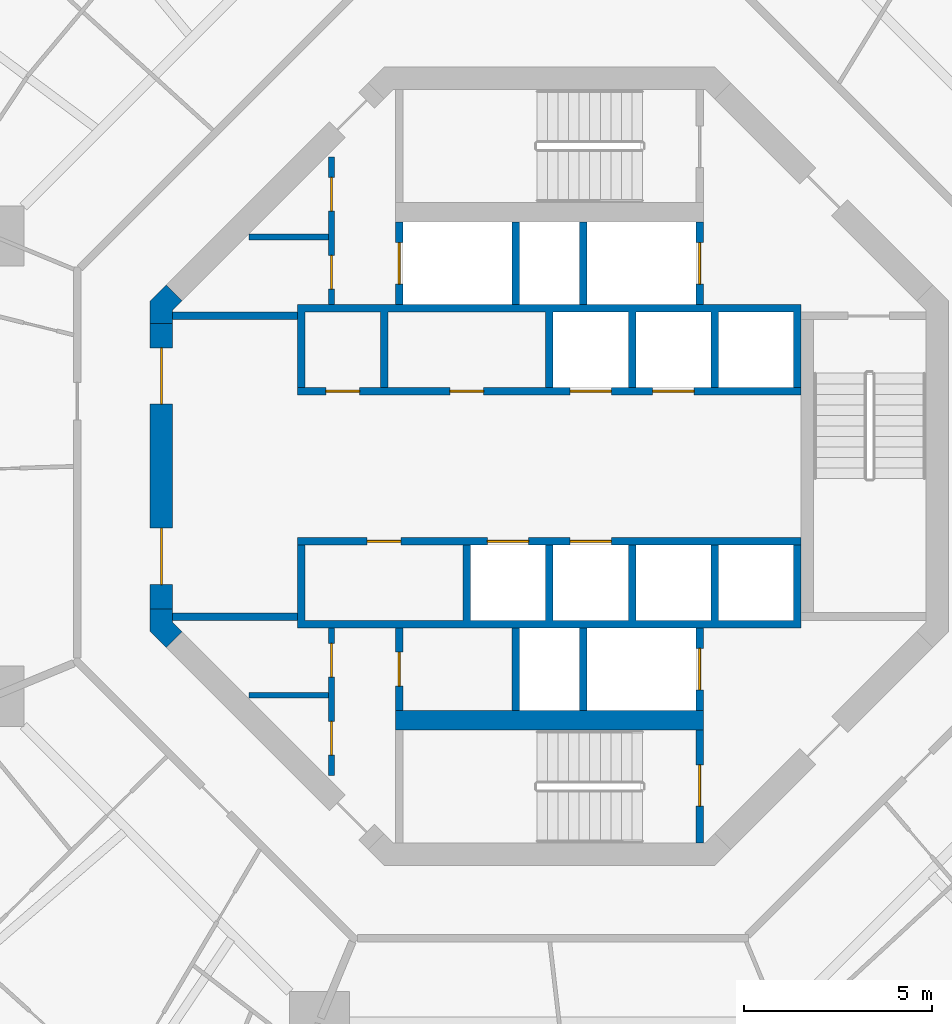
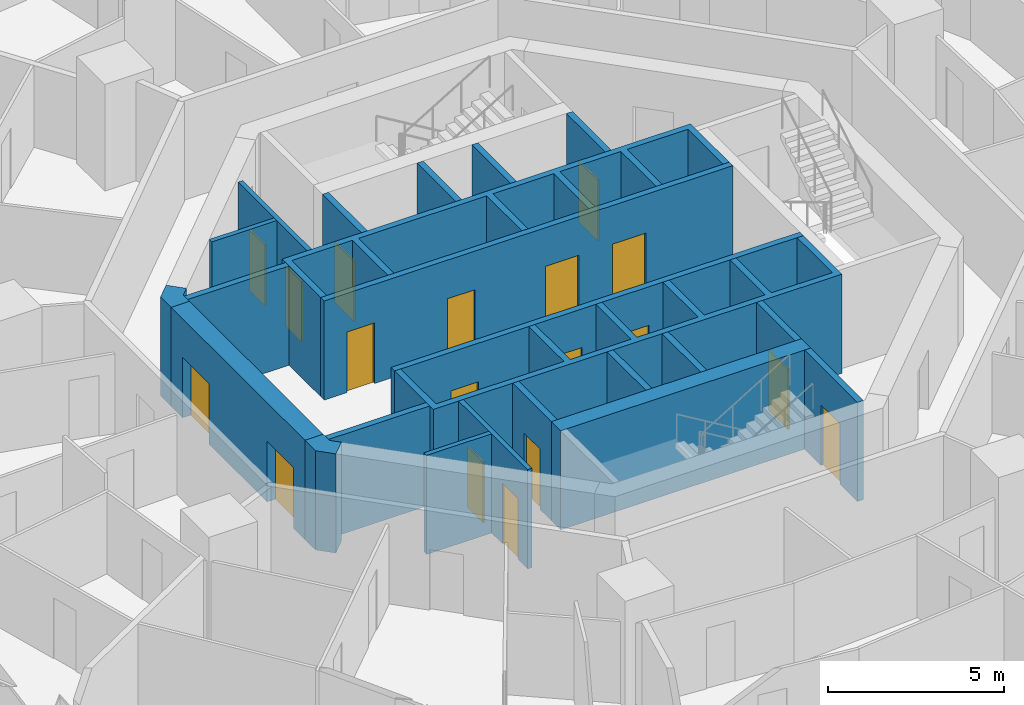
# One storey, part 11 of 18: 23 walls, 18 doors, 18 openings.
"""IFC4 building model written with IfcOpenShell, lengths in metres."""

from ifc_helpers import new_model, si_unit, direction, frame, frame_2d, origin, place, context, subcontext, project, spatial, polyline, rectangle, outline, extrude, material, layer, layer_set, type_object, element, fill, save


model = new_model("IFC4")

# Units and contexts
model_context = context("Model", 3, precision=1e-05, world=origin(), true_north=direction((0.0, 1.0)))
body_context = subcontext(model_context, "Body", "Model", "MODEL_VIEW")
ifc_project = project(units=[si_unit("LENGTHUNIT", "METRE"), si_unit("AREAUNIT", "SQUARE_METRE"), si_unit("VOLUMEUNIT", "CUBIC_METRE"), si_unit("PLANEANGLEUNIT", "RADIAN"), si_unit("MASSUNIT", "GRAM", prefix="KILO")], contexts=[model_context])

# Site, building, storey
site_placement = place(None, origin())
site = spatial("IfcSite", under=ifc_project, at=site_placement, CompositionType="ELEMENT")
building_placement = place(site_placement, origin())
building = spatial("IfcBuilding", under=site, at=building_placement, Name="Nagisa Residences", CompositionType="ELEMENT")
storey_placement = place(building_placement, frame((0.0, 0.0, 241.800048828125)))
storey = spatial("IfcBuildingStorey", under=building, at=storey_placement, Name="L61", CompositionType="ELEMENT", Elevation=241.800048828125)

# Wall, openings, doors
ifc_material_1 = material(Name="Gypsum board on steel studs", Category="steel")
ifc_layer_1 = layer(ifc_material_1, 0.14990234375)
ifc_layer_set_1 = layer_set([ifc_layer_1], Name="Core partition 150")
wall_type_1 = type_object("IfcWallType", Name="Core partition 150", PredefinedType="PARTITIONING", material=ifc_layer_set_1)
wall_1_placement = place(storey_placement, frame((-5.800048828125, 4.300048828125, 0.0), z_axis=(0.0, 0.0, 1.0), x_axis=(0.0, 1.0, 0.0)))
wall_1 = element("IfcWall", 1, at=wall_1_placement, inside=storey, type_object=wall_type_1, Name="wall:L61:NWp", PredefinedType="PARTITIONING", context=body_context, shape_type="SweptSolid", body=[
    extrude(rectangle(XDim=3.927001953125, YDim=0.14990234375, at=frame_2d((1.96337890625, 0.0))), origin(), (0.0, 0.0, 1.0), 3.43994140625),
])
opening_1_placement = place(wall_1_placement, frame((0.41259765625, 0.0, 0.0)))
opening_1 = element("IfcOpeningElement", 2, at=opening_1_placement, cuts=wall_1, Name="Opening L61-C11", PredefinedType="OPENING", context=body_context, shape_type="SweptSolid", body=[
    extrude(rectangle(XDim=0.89990234375, YDim=2.10009765625, at=frame_2d((0.449951171875, 1.050048828125))), frame((0.0, 0.0849609375, 0.0), z_axis=(0.0, -1.0, 0.0), x_axis=(1.0, 0.0, 0.0)), (0.0, 0.0, 1.0), 0.169921875),
])
opening_2_placement = place(wall_1_placement, frame((2.488525390625, 0.0, 0.0)))
opening_2 = element("IfcOpeningElement", 3, at=opening_2_placement, cuts=wall_1, Name="Opening L61-C12", PredefinedType="OPENING", context=body_context, shape_type="SweptSolid", body=[
    extrude(rectangle(XDim=0.89990234375, YDim=2.10009765625, at=frame_2d((0.449951171875, 1.050048828125))), frame((0.0, 0.0849609375, 0.0), z_axis=(0.0, -1.0, 0.0), x_axis=(1.0, 0.0, 0.0)), (0.0, 0.0, 1.0), 0.169921875),
])
ifc_material_2 = material(Name="Steel fire door", Category="steel")
door_type_1 = type_object("IfcDoorType", Name="Fire door EI30 900x2100 single swing", OperationType="NOTDEFINED", PredefinedType="DOOR", material=ifc_material_2)
door_1_placement = place(opening_1_placement, origin())
door_1 = element("IfcDoor", 4, at=door_1_placement, inside=storey, type_object=door_type_1, Name="Electrical room door L61", OperationType="SINGLE_SWING_LEFT", OverallHeight=2.10009765625, OverallWidth=0.89990234375, PredefinedType="DOOR", context=body_context, shape_type="SweptSolid", body=[
    extrude(rectangle(XDim=0.89990234375, YDim=2.10009765625, at=frame_2d((0.449951171875, 1.050048828125))), frame((0.0, 0.02490234375, 0.0), z_axis=(0.0, -1.0, 0.0), x_axis=(1.0, 0.0, 0.0)), (0.0, 0.0, 1.0), 0.050048828125),
])
fill(opening_1, door_1)
door_2_placement = place(opening_2_placement, origin())
door_2 = element("IfcDoor", 5, at=door_2_placement, inside=storey, type_object=door_type_1, Name="Telecom room door L61", OperationType="SINGLE_SWING_LEFT", OverallHeight=2.10009765625, OverallWidth=0.89990234375, PredefinedType="DOOR", context=body_context, shape_type="SweptSolid", body=[
    extrude(rectangle(XDim=0.89990234375, YDim=2.10009765625, at=frame_2d((0.449951171875, 1.050048828125))), frame((0.0, 0.02490234375, 0.0), z_axis=(0.0, -1.0, 0.0), x_axis=(1.0, 0.0, 0.0)), (0.0, 0.0, 1.0), 0.050048828125),
])
fill(opening_2, door_2)

wall_2_placement = place(storey_placement, frame((-5.800048828125, -8.22705078125, 0.0), z_axis=(0.0, 0.0, 1.0), x_axis=(0.0, 1.0, 0.0)))
wall_2 = element("IfcWall", 6, at=wall_2_placement, inside=storey, type_object=wall_type_1, Name="wall:L61:SWp", PredefinedType="PARTITIONING", context=body_context, shape_type="SweptSolid", body=[
    extrude(rectangle(XDim=3.927001953125, YDim=0.14990234375, at=frame_2d((1.96337890625, 0.0))), origin(), (0.0, 0.0, 1.0), 3.43994140625),
])
opening_3_placement = place(wall_2_placement, frame((2.614501953125, 0.0, 0.0)))
opening_3 = element("IfcOpeningElement", 7, at=opening_3_placement, cuts=wall_2, Name="Opening L61-C13", PredefinedType="OPENING", context=body_context, shape_type="SweptSolid", body=[
    extrude(rectangle(XDim=0.89990234375, YDim=2.10009765625, at=frame_2d((0.449951171875, 1.050048828125))), frame((0.0, 0.0849609375, 0.0), z_axis=(0.0, -1.0, 0.0), x_axis=(1.0, 0.0, 0.0)), (0.0, 0.0, 1.0), 0.169921875),
])
opening_4_placement = place(wall_2_placement, frame((0.53857421875, 0.0, 0.0)))
opening_4 = element("IfcOpeningElement", 8, at=opening_4_placement, cuts=wall_2, Name="Opening L61-C14", PredefinedType="OPENING", context=body_context, shape_type="SweptSolid", body=[
    extrude(rectangle(XDim=0.89990234375, YDim=2.10009765625, at=frame_2d((0.449951171875, 1.050048828125))), frame((0.0, 0.0849609375, 0.0), z_axis=(0.0, -1.0, 0.0), x_axis=(1.0, 0.0, 0.0)), (0.0, 0.0, 1.0), 0.169921875),
])
door_3_placement = place(opening_3_placement, origin())
door_3 = element("IfcDoor", 9, at=door_3_placement, inside=storey, type_object=door_type_1, Name="Refuse room door L61", OperationType="SINGLE_SWING_LEFT", OverallHeight=2.10009765625, OverallWidth=0.89990234375, PredefinedType="DOOR", context=body_context, shape_type="SweptSolid", body=[
    extrude(rectangle(XDim=0.89990234375, YDim=2.10009765625, at=frame_2d((0.449951171875, 1.050048828125))), frame((0.0, 0.02490234375, 0.0), z_axis=(0.0, -1.0, 0.0), x_axis=(1.0, 0.0, 0.0)), (0.0, 0.0, 1.0), 0.050048828125),
])
fill(opening_3, door_3)
door_4_placement = place(opening_4_placement, origin())
door_4 = element("IfcDoor", 10, at=door_4_placement, inside=storey, type_object=door_type_1, Name="Hose reel room door L61", OperationType="SINGLE_SWING_LEFT", OverallHeight=2.10009765625, OverallWidth=0.89990234375, PredefinedType="DOOR", context=body_context, shape_type="SweptSolid", body=[
    extrude(rectangle(XDim=0.89990234375, YDim=2.10009765625, at=frame_2d((0.449951171875, 1.050048828125))), frame((0.0, 0.02490234375, 0.0), z_axis=(0.0, -1.0, 0.0), x_axis=(1.0, 0.0, 0.0)), (0.0, 0.0, 1.0), 0.050048828125),
])
fill(opening_4, door_4)

# Walls
for number, where, z_axis, x_axis, name in (
    (11, (-8.0009765625, -6.10009765625, 0.0), (0.0, 0.0, 1.0), (1.0, 0.0, 0.0), "wall:L61:SWq"),
    (12, (-8.0009765625, 6.10009765625, 0.0), (0.0, 0.0, 1.0), (1.0, 0.0, 0.0), "wall:L61:NWq"),
):
    element("IfcWall", number, at=place(storey_placement, frame(where, z_axis=z_axis, x_axis=x_axis)), inside=storey, type_object=wall_type_1, Name=name, PredefinedType="PARTITIONING", context=body_context, shape_type="SweptSolid", body=[
        extrude(rectangle(XDim=2.1259765625, YDim=0.14990234375, at=frame_2d((1.06298828125, 0.0))), origin(), (0.0, 0.0, 1.0), 3.43994140625),
    ])
ifc_material_3 = material(Name="Gypsum board on steel studs", Category="steel")
ifc_layer_2 = layer(ifc_material_3, 0.199951171875)
ifc_layer_set_2 = layer_set([ifc_layer_2], Name="Core partition 200")
wall_type_2 = type_object("IfcWallType", Name="Core partition 200", PredefinedType="PARTITIONING", material=ifc_layer_set_2)
for number, where, z_axis, x_axis, name in (
    (13, (-10.024658203125, -4.0, 0.0), (0.0, 0.0, 1.0), (1.0, 0.0, 0.0), "wall:L61:PSW"),
    (14, (-10.024658203125, 4.0, 0.0), (0.0, 0.0, 1.0), (1.0, 0.0, 0.0), "wall:L61:PNW"),
):
    element("IfcWall", number, at=place(storey_placement, frame(where, z_axis=z_axis, x_axis=x_axis)), inside=storey, type_object=wall_type_2, Name=name, PredefinedType="PARTITIONING", context=body_context, shape_type="SweptSolid", body=[
        extrude(rectangle(XDim=3.32470703125, YDim=0.199951171875, at=frame_2d((1.662353515625, 0.0))), origin(), (0.0, 0.0, 1.0), 3.43994140625),
    ])

# Wall, openings, doors
ifc_material_4 = material(Name="Concrete C60", Category="concrete")
ifc_layer_3 = layer(ifc_material_4, 0.60009765625)
ifc_layer_set_3 = layer_set([ifc_layer_3], Name="Core shear wall 600")
wall_type_3 = type_object("IfcWallType", Name="Core shear wall 600", PredefinedType="SHEAR", material=ifc_layer_set_3)
wall_3_placement = place(storey_placement, frame((-10.32470703125, 3.80078125, 0.0), z_axis=(0.0, 0.0, 1.0), x_axis=(0.0, -1.0, 0.0)))
wall_3 = element("IfcWall", 15, at=wall_3_placement, inside=storey, type_object=wall_type_3, Name="wall:L61:core:flat4", PredefinedType="SHEAR", context=body_context, shape_type="SweptSolid", body=[
    extrude(rectangle(XDim=7.6015625, YDim=0.60009765625, at=frame_2d((3.80078125, 0.0))), origin(), (0.0, 0.0, 1.0), 3.43994140625),
])
opening_5_placement = place(wall_3_placement, frame((0.65087890625, 0.0, 0.0)))
opening_5 = element("IfcOpeningElement", 16, at=opening_5_placement, cuts=wall_3, Name="Opening L61-C21", PredefinedType="OPENING", context=body_context, shape_type="SweptSolid", body=[
    extrude(rectangle(XDim=1.5, YDim=2.10009765625, at=frame_2d((0.75, 1.050048828125))), frame((0.0, 0.31005859375, 0.0), z_axis=(0.0, -1.0, 0.0), x_axis=(1.0, 0.0, 0.0)), (0.0, 0.0, 1.0), 0.6201171875),
])
opening_6_placement = place(wall_3_placement, frame((5.450927734375, 0.0, 0.0)))
opening_6 = element("IfcOpeningElement", 17, at=opening_6_placement, cuts=wall_3, Name="Opening L61-C22", PredefinedType="OPENING", context=body_context, shape_type="SweptSolid", body=[
    extrude(rectangle(XDim=1.5, YDim=2.10009765625, at=frame_2d((0.75, 1.050048828125))), frame((0.0, 0.31005859375, 0.0), z_axis=(0.0, -1.0, 0.0), x_axis=(1.0, 0.0, 0.0)), (0.0, 0.0, 1.0), 0.6201171875),
])
ifc_material_5 = material(Name="Steel fire door", Category="steel")
door_type_2 = type_object("IfcDoorType", Name="Fire door EI60 1500x2100 double door single swing", OperationType="DOUBLE_DOOR_SINGLE_SWING", PredefinedType="DOOR", material=ifc_material_5)
door_5_placement = place(opening_5_placement, origin())
door_5 = element("IfcDoor", 18, at=door_5_placement, inside=storey, type_object=door_type_2, Name="Lift lobby door L61 1", OperationType="DOUBLE_DOOR_SINGLE_SWING", OverallHeight=2.10009765625, OverallWidth=1.5, PredefinedType="DOOR", context=body_context, shape_type="SweptSolid", body=[
    extrude(rectangle(XDim=1.5, YDim=2.10009765625, at=frame_2d((0.75, 1.050048828125))), frame((0.0, 0.02490234375, 0.0), z_axis=(0.0, -1.0, 0.0), x_axis=(1.0, 0.0, 0.0)), (0.0, 0.0, 1.0), 0.050048828125),
])
fill(opening_5, door_5)
door_6_placement = place(opening_6_placement, origin())
door_6 = element("IfcDoor", 19, at=door_6_placement, inside=storey, type_object=door_type_2, Name="Lift lobby door L61 2", OperationType="DOUBLE_DOOR_SINGLE_SWING", OverallHeight=2.10009765625, OverallWidth=1.5, PredefinedType="DOOR", context=body_context, shape_type="SweptSolid", body=[
    extrude(rectangle(XDim=1.5, YDim=2.10009765625, at=frame_2d((0.75, 1.050048828125))), frame((0.0, 0.02490234375, 0.0), z_axis=(0.0, -1.0, 0.0), x_axis=(1.0, 0.0, 0.0)), (0.0, 0.0, 1.0), 0.050048828125),
])
fill(opening_6, door_6)

# Walls
wall_4_placement = place(storey_placement, origin())
element("IfcWall", 20, at=wall_4_placement, inside=storey, type_object=wall_type_3, Name="wall:L61:core:pier4", PredefinedType="SHEAR", context=body_context, shape_type="SweptSolid", body=[
    extrude(outline(polyline([(-10.62451171875, -3.80078125), (-10.024658203125, -3.80078125), (-10.024658203125, -4.15234375), (-9.776123046875, -4.40087890625), (-10.200439453125, -4.8251953125), (-10.62451171875, -4.40087890625), (-10.62451171875, -3.80078125)])), origin(), (0.0, 0.0, 1.0), 3.43994140625),
])
wall_5_placement = place(storey_placement, origin())
element("IfcWall", 21, at=wall_5_placement, inside=storey, type_object=wall_type_3, Name="wall:L61:core:pier3", PredefinedType="SHEAR", context=body_context, shape_type="SweptSolid", body=[
    extrude(outline(polyline([(-10.200439453125, 4.8251953125), (-9.776123046875, 4.40087890625), (-10.024658203125, 4.15234375), (-10.024658203125, 3.80078125), (-10.62451171875, 3.80078125), (-10.62451171875, 4.40087890625), (-10.200439453125, 4.8251953125)])), origin(), (0.0, 0.0, 1.0), 3.43994140625),
])

# Wall, opening, door
ifc_material_6 = material(Name="Concrete C60", Category="concrete")
ifc_layer_4 = layer(ifc_material_6, 0.199951171875)
ifc_layer_set_4 = layer_set([ifc_layer_4], Name="Lift shaft wall 200")
wall_type_4 = type_object("IfcWallType", Name="Lift shaft wall 200", PredefinedType="SOLIDWALL", material=ifc_layer_set_4)
wall_6_placement = place(storey_placement, frame((4.0, 4.300048828125, 0.0), z_axis=(0.0, 0.0, 1.0), x_axis=(0.0, 1.0, 0.0)))
wall_6 = element("IfcWall", 22, at=wall_6_placement, inside=storey, type_object=wall_type_4, Name="wall:L61:Nb3", PredefinedType="SOLIDWALL", context=body_context, shape_type="SweptSolid", body=[
    extrude(rectangle(XDim=2.199951171875, YDim=0.199951171875, at=frame_2d((1.10009765625, 0.0))), origin(), (0.0, 0.0, 1.0), 3.43994140625),
])
opening_7_placement = place(wall_6_placement, frame((0.550048828125, 0.0, 0.0)))
opening_7 = element("IfcOpeningElement", 23, at=opening_7_placement, cuts=wall_6, Name="Opening L61-C05", PredefinedType="OPENING", context=body_context, shape_type="SweptSolid", body=[
    extrude(rectangle(XDim=1.10009765625, YDim=2.10009765625, at=frame_2d((0.550048828125, 1.050048828125))), frame((0.0, 0.10986328125, 0.0), z_axis=(0.0, -1.0, 0.0), x_axis=(1.0, 0.0, 0.0)), (0.0, 0.0, 1.0), 0.219970703125),
])
ifc_material_7 = material(Name="Stainless steel", Category="steel")
door_type_3 = type_object("IfcDoorType", Name="Lift landing door 1100x2100", OperationType="DOUBLE_DOOR_SLIDING", PredefinedType="DOOR", material=ifc_material_7)
door_7_placement = place(opening_7_placement, origin())
door_7 = element("IfcDoor", 24, at=door_7_placement, inside=storey, type_object=door_type_3, Name="Landing door FL1 L61", OperationType="DOUBLE_DOOR_SLIDING", OverallHeight=2.10009765625, OverallWidth=1.10009765625, PredefinedType="DOOR", context=body_context, shape_type="SweptSolid", body=[
    extrude(rectangle(XDim=1.10009765625, YDim=2.10009765625, at=frame_2d((0.550048828125, 1.050048828125))), frame((0.0, 0.02490234375, 0.0), z_axis=(0.0, -1.0, 0.0), x_axis=(1.0, 0.0, 0.0)), (0.0, 0.0, 1.0), 0.050048828125),
])
fill(opening_7, door_7)

wall_7_placement = place(storey_placement, frame((-4.0, 4.300048828125, 0.0), z_axis=(0.0, 0.0, 1.0), x_axis=(0.0, 1.0, 0.0)))
wall_7 = element("IfcWall", 25, at=wall_7_placement, inside=storey, type_object=wall_type_4, Name="wall:L61:Nb4", PredefinedType="SOLIDWALL", context=body_context, shape_type="SweptSolid", body=[
    extrude(rectangle(XDim=2.199951171875, YDim=0.199951171875, at=frame_2d((1.10009765625, 0.0))), origin(), (0.0, 0.0, 1.0), 3.43994140625),
])
opening_8_placement = place(wall_7_placement, frame((0.550048828125, 0.0, 0.0)))
opening_8 = element("IfcOpeningElement", 26, at=opening_8_placement, cuts=wall_7, Name="Opening L61-C07", PredefinedType="OPENING", context=body_context, shape_type="SweptSolid", body=[
    extrude(rectangle(XDim=1.10009765625, YDim=2.10009765625, at=frame_2d((0.550048828125, 1.050048828125))), frame((0.0, 0.10986328125, 0.0), z_axis=(0.0, -1.0, 0.0), x_axis=(1.0, 0.0, 0.0)), (0.0, 0.0, 1.0), 0.219970703125),
])
door_8_placement = place(opening_8_placement, origin())
door_8 = element("IfcDoor", 27, at=door_8_placement, inside=storey, type_object=door_type_3, Name="Landing door SV L61", OperationType="DOUBLE_DOOR_SLIDING", OverallHeight=2.10009765625, OverallWidth=1.10009765625, PredefinedType="DOOR", context=body_context, shape_type="SweptSolid", body=[
    extrude(rectangle(XDim=1.10009765625, YDim=2.10009765625, at=frame_2d((0.550048828125, 1.050048828125))), frame((0.0, 0.02490234375, 0.0), z_axis=(0.0, -1.0, 0.0), x_axis=(1.0, 0.0, 0.0)), (0.0, 0.0, 1.0), 0.050048828125),
])
fill(opening_8, door_8)

# Wall, openings, doors
wall_8_placement = place(storey_placement, frame((-6.699951171875, 2.0, 0.0), z_axis=(0.0, 0.0, 1.0), x_axis=(1.0, 0.0, 0.0)))
wall_8 = element("IfcWall", 28, at=wall_8_placement, inside=storey, type_object=wall_type_4, Name="wall:L61:Nfront", PredefinedType="SOLIDWALL", context=body_context, shape_type="SweptSolid", body=[
    extrude(rectangle(XDim=13.39990234375, YDim=0.199951171875, at=frame_2d((6.699951171875, 0.0))), origin(), (0.0, 0.0, 1.0), 3.43994140625),
])
opening_9_placement = place(wall_8_placement, frame((7.25, 0.0, 0.0)))
opening_9 = element("IfcOpeningElement", 29, at=opening_9_placement, cuts=wall_8, Name="Opening L61-C01", PredefinedType="OPENING", context=body_context, shape_type="SweptSolid", body=[
    extrude(rectangle(XDim=1.10009765625, YDim=2.10009765625, at=frame_2d((0.550048828125, 1.050048828125))), frame((0.0, 0.10986328125, 0.0), z_axis=(0.0, -1.0, 0.0), x_axis=(1.0, 0.0, 0.0)), (0.0, 0.0, 1.0), 0.219970703125),
])
opening_10_placement = place(wall_8_placement, frame((9.449951171875, 0.0, 0.0)))
opening_10 = element("IfcOpeningElement", 30, at=opening_10_placement, cuts=wall_8, Name="Opening L61-C02", PredefinedType="OPENING", context=body_context, shape_type="SweptSolid", body=[
    extrude(rectangle(XDim=1.10009765625, YDim=2.10009765625, at=frame_2d((0.550048828125, 1.050048828125))), frame((0.0, 0.10986328125, 0.0), z_axis=(0.0, -1.0, 0.0), x_axis=(1.0, 0.0, 0.0)), (0.0, 0.0, 1.0), 0.219970703125),
])
opening_11_placement = place(wall_8_placement, frame((0.75, 0.0, 0.0)))
opening_11 = element("IfcOpeningElement", 31, at=opening_11_placement, cuts=wall_8, Name="Opening L61-C16", PredefinedType="OPENING", context=body_context, shape_type="SweptSolid", body=[
    extrude(rectangle(XDim=0.89990234375, YDim=2.10009765625, at=frame_2d((0.449951171875, 1.050048828125))), frame((0.0, 0.10986328125, 0.0), z_axis=(0.0, -1.0, 0.0), x_axis=(1.0, 0.0, 0.0)), (0.0, 0.0, 1.0), 0.219970703125),
])
opening_12_placement = place(wall_8_placement, frame((4.050048828125, 0.0, 0.0)))
opening_12 = element("IfcOpeningElement", 32, at=opening_12_placement, cuts=wall_8, Name="Opening L61-C17", PredefinedType="OPENING", context=body_context, shape_type="SweptSolid", body=[
    extrude(rectangle(XDim=0.89990234375, YDim=2.10009765625, at=frame_2d((0.449951171875, 1.050048828125))), frame((0.0, 0.10986328125, 0.0), z_axis=(0.0, -1.0, 0.0), x_axis=(1.0, 0.0, 0.0)), (0.0, 0.0, 1.0), 0.219970703125),
])
door_9_placement = place(opening_11_placement, origin())
door_9 = element("IfcDoor", 33, at=door_9_placement, inside=storey, type_object=door_type_1, Name="Package room door L61", OperationType="SINGLE_SWING_RIGHT", OverallHeight=2.10009765625, OverallWidth=0.89990234375, PredefinedType="DOOR", context=body_context, shape_type="SweptSolid", body=[
    extrude(rectangle(XDim=0.89990234375, YDim=2.10009765625, at=frame_2d((0.449951171875, 1.050048828125))), frame((0.0, 0.02490234375, 0.0), z_axis=(0.0, -1.0, 0.0), x_axis=(1.0, 0.0, 0.0)), (0.0, 0.0, 1.0), 0.050048828125),
])
fill(opening_11, door_9)
door_10_placement = place(opening_12_placement, origin())
door_10 = element("IfcDoor", 34, at=door_10_placement, inside=storey, type_object=door_type_1, Name="Linen store door L61", OperationType="SINGLE_SWING_RIGHT", OverallHeight=2.10009765625, OverallWidth=0.89990234375, PredefinedType="DOOR", context=body_context, shape_type="SweptSolid", body=[
    extrude(rectangle(XDim=0.89990234375, YDim=2.10009765625, at=frame_2d((0.449951171875, 1.050048828125))), frame((0.0, 0.02490234375, 0.0), z_axis=(0.0, -1.0, 0.0), x_axis=(1.0, 0.0, 0.0)), (0.0, 0.0, 1.0), 0.050048828125),
])
fill(opening_12, door_10)
door_11_placement = place(opening_9_placement, origin())
door_11 = element("IfcDoor", 35, at=door_11_placement, inside=storey, type_object=door_type_3, Name="Landing door B1 L61", OperationType="DOUBLE_DOOR_SLIDING", OverallHeight=2.10009765625, OverallWidth=1.10009765625, PredefinedType="DOOR", context=body_context, shape_type="SweptSolid", body=[
    extrude(rectangle(XDim=1.10009765625, YDim=2.10009765625, at=frame_2d((0.550048828125, 1.050048828125))), frame((0.0, 0.02490234375, 0.0), z_axis=(0.0, -1.0, 0.0), x_axis=(1.0, 0.0, 0.0)), (0.0, 0.0, 1.0), 0.050048828125),
])
fill(opening_9, door_11)
door_12_placement = place(opening_10_placement, origin())
door_12 = element("IfcDoor", 36, at=door_12_placement, inside=storey, type_object=door_type_3, Name="Landing door B2 L61", OperationType="DOUBLE_DOOR_SLIDING", OverallHeight=2.10009765625, OverallWidth=1.10009765625, PredefinedType="DOOR", context=body_context, shape_type="SweptSolid", body=[
    extrude(rectangle(XDim=1.10009765625, YDim=2.10009765625, at=frame_2d((0.550048828125, 1.050048828125))), frame((0.0, 0.02490234375, 0.0), z_axis=(0.0, -1.0, 0.0), x_axis=(1.0, 0.0, 0.0)), (0.0, 0.0, 1.0), 0.050048828125),
])
fill(opening_10, door_12)

# Wall, opening, door
wall_9_placement = place(storey_placement, frame((4.0, -6.5, 0.0), z_axis=(0.0, 0.0, 1.0), x_axis=(0.0, 1.0, 0.0)))
wall_9 = element("IfcWall", 37, at=wall_9_placement, inside=storey, type_object=wall_type_4, Name="wall:L61:Sb3", PredefinedType="SOLIDWALL", context=body_context, shape_type="SweptSolid", body=[
    extrude(rectangle(XDim=2.199951171875, YDim=0.199951171875, at=frame_2d((1.10009765625, 0.0))), origin(), (0.0, 0.0, 1.0), 3.43994140625),
])
opening_13_placement = place(wall_9_placement, frame((0.550048828125, 0.0, 0.0)))
opening_13 = element("IfcOpeningElement", 38, at=opening_13_placement, cuts=wall_9, Name="Opening L61-C06", PredefinedType="OPENING", context=body_context, shape_type="SweptSolid", body=[
    extrude(rectangle(XDim=1.10009765625, YDim=2.10009765625, at=frame_2d((0.550048828125, 1.050048828125))), frame((0.0, 0.10986328125, 0.0), z_axis=(0.0, -1.0, 0.0), x_axis=(1.0, 0.0, 0.0)), (0.0, 0.0, 1.0), 0.219970703125),
])
door_13_placement = place(opening_13_placement, origin())
door_13 = element("IfcDoor", 39, at=door_13_placement, inside=storey, type_object=door_type_3, Name="Landing door FL2 L61", OperationType="DOUBLE_DOOR_SLIDING", OverallHeight=2.10009765625, OverallWidth=1.10009765625, PredefinedType="DOOR", context=body_context, shape_type="SweptSolid", body=[
    extrude(rectangle(XDim=1.10009765625, YDim=2.10009765625, at=frame_2d((0.550048828125, 1.050048828125))), frame((0.0, 0.02490234375, 0.0), z_axis=(0.0, -1.0, 0.0), x_axis=(1.0, 0.0, 0.0)), (0.0, 0.0, 1.0), 0.050048828125),
])
fill(opening_13, door_13)

wall_10_placement = place(storey_placement, frame((-4.0, -6.5, 0.0), z_axis=(0.0, 0.0, 1.0), x_axis=(0.0, 1.0, 0.0)))
wall_10 = element("IfcWall", 40, at=wall_10_placement, inside=storey, type_object=wall_type_4, Name="wall:L61:Sb4", PredefinedType="SOLIDWALL", context=body_context, shape_type="SweptSolid", body=[
    extrude(rectangle(XDim=2.199951171875, YDim=0.199951171875, at=frame_2d((1.10009765625, 0.0))), origin(), (0.0, 0.0, 1.0), 3.43994140625),
])
opening_14_placement = place(wall_10_placement, frame((0.64990234375, 0.0, 0.0)))
opening_14 = element("IfcOpeningElement", 41, at=opening_14_placement, cuts=wall_10, Name="Opening L61-C15", PredefinedType="OPENING", context=body_context, shape_type="SweptSolid", body=[
    extrude(rectangle(XDim=0.89990234375, YDim=2.10009765625, at=frame_2d((0.449951171875, 1.050048828125))), frame((0.0, 0.10986328125, 0.0), z_axis=(0.0, -1.0, 0.0), x_axis=(1.0, 0.0, 0.0)), (0.0, 0.0, 1.0), 0.219970703125),
])
door_14_placement = place(opening_14_placement, frame((0.89990234375, 0.0, 0.0), x_axis=(-1.0, 0.0, 0.0)))
door_14 = element("IfcDoor", 42, at=door_14_placement, inside=storey, type_object=door_type_1, Name="Refuse room door L61", OperationType="SINGLE_SWING_LEFT", OverallHeight=2.10009765625, OverallWidth=0.89990234375, PredefinedType="DOOR", context=body_context, shape_type="SweptSolid", body=[
    extrude(rectangle(XDim=0.89990234375, YDim=2.10009765625, at=frame_2d((0.449951171875, 1.050048828125))), frame((0.0, 0.02490234375, 0.0), z_axis=(0.0, -1.0, 0.0), x_axis=(1.0, 0.0, 0.0)), (0.0, 0.0, 1.0), 0.050048828125),
])
fill(opening_14, door_14)

# Wall, openings, doors
wall_11_placement = place(storey_placement, frame((-6.699951171875, -2.0, 0.0), z_axis=(0.0, 0.0, 1.0), x_axis=(1.0, 0.0, 0.0)))
wall_11 = element("IfcWall", 43, at=wall_11_placement, inside=storey, type_object=wall_type_4, Name="wall:L61:Sfront", PredefinedType="SOLIDWALL", context=body_context, shape_type="SweptSolid", body=[
    extrude(rectangle(XDim=13.39990234375, YDim=0.199951171875, at=frame_2d((6.699951171875, 0.0))), origin(), (0.0, 0.0, 1.0), 3.43994140625),
])
opening_15_placement = place(wall_11_placement, frame((5.050048828125, 0.0, 0.0)))
opening_15 = element("IfcOpeningElement", 44, at=opening_15_placement, cuts=wall_11, Name="Opening L61-C03", PredefinedType="OPENING", context=body_context, shape_type="SweptSolid", body=[
    extrude(rectangle(XDim=1.10009765625, YDim=2.10009765625, at=frame_2d((0.550048828125, 1.050048828125))), frame((0.0, 0.10986328125, 0.0), z_axis=(0.0, -1.0, 0.0), x_axis=(1.0, 0.0, 0.0)), (0.0, 0.0, 1.0), 0.219970703125),
])
opening_16_placement = place(wall_11_placement, frame((7.25, 0.0, 0.0)))
opening_16 = element("IfcOpeningElement", 45, at=opening_16_placement, cuts=wall_11, Name="Opening L61-C04", PredefinedType="OPENING", context=body_context, shape_type="SweptSolid", body=[
    extrude(rectangle(XDim=1.10009765625, YDim=2.10009765625, at=frame_2d((0.550048828125, 1.050048828125))), frame((0.0, 0.10986328125, 0.0), z_axis=(0.0, -1.0, 0.0), x_axis=(1.0, 0.0, 0.0)), (0.0, 0.0, 1.0), 0.219970703125),
])
opening_17_placement = place(wall_11_placement, frame((1.85009765625, 0.0, 0.0)))
opening_17 = element("IfcOpeningElement", 46, at=opening_17_placement, cuts=wall_11, Name="Opening L61-C18", PredefinedType="OPENING", context=body_context, shape_type="SweptSolid", body=[
    extrude(rectangle(XDim=0.89990234375, YDim=2.10009765625, at=frame_2d((0.449951171875, 1.050048828125))), frame((0.0, 0.10986328125, 0.0), z_axis=(0.0, -1.0, 0.0), x_axis=(1.0, 0.0, 0.0)), (0.0, 0.0, 1.0), 0.219970703125),
])
door_15_placement = place(opening_17_placement, frame((0.89990234375, 0.0, 0.0), x_axis=(-1.0, 0.0, 0.0)))
door_15 = element("IfcDoor", 47, at=door_15_placement, inside=storey, type_object=door_type_1, Name="Tea preparation door L61", OperationType="SINGLE_SWING_LEFT", OverallHeight=2.10009765625, OverallWidth=0.89990234375, PredefinedType="DOOR", context=body_context, shape_type="SweptSolid", body=[
    extrude(rectangle(XDim=0.89990234375, YDim=2.10009765625, at=frame_2d((0.449951171875, 1.050048828125))), frame((0.0, 0.02490234375, 0.0), z_axis=(0.0, -1.0, 0.0), x_axis=(1.0, 0.0, 0.0)), (0.0, 0.0, 1.0), 0.050048828125),
])
fill(opening_17, door_15)
door_16_placement = place(opening_15_placement, origin())
door_16 = element("IfcDoor", 48, at=door_16_placement, inside=storey, type_object=door_type_3, Name="Landing door B3 L61", OperationType="DOUBLE_DOOR_SLIDING", OverallHeight=2.10009765625, OverallWidth=1.10009765625, PredefinedType="DOOR", context=body_context, shape_type="SweptSolid", body=[
    extrude(rectangle(XDim=1.10009765625, YDim=2.10009765625, at=frame_2d((0.550048828125, 1.050048828125))), frame((0.0, 0.02490234375, 0.0), z_axis=(0.0, -1.0, 0.0), x_axis=(1.0, 0.0, 0.0)), (0.0, 0.0, 1.0), 0.050048828125),
])
fill(opening_15, door_16)
door_17_placement = place(opening_16_placement, origin())
door_17 = element("IfcDoor", 49, at=door_17_placement, inside=storey, type_object=door_type_3, Name="Landing door B4 L61", OperationType="DOUBLE_DOOR_SLIDING", OverallHeight=2.10009765625, OverallWidth=1.10009765625, PredefinedType="DOOR", context=body_context, shape_type="SweptSolid", body=[
    extrude(rectangle(XDim=1.10009765625, YDim=2.10009765625, at=frame_2d((0.550048828125, 1.050048828125))), frame((0.0, 0.02490234375, 0.0), z_axis=(0.0, -1.0, 0.0), x_axis=(1.0, 0.0, 0.0)), (0.0, 0.0, 1.0), 0.050048828125),
])
fill(opening_16, door_17)

# Walls
for number, where, z_axis, x_axis, name in (
    (50, (-0.89990234375, 4.300048828125, 0.0), (0.0, 0.0, 1.0), (0.0, 1.0, 0.0), "wall:L61:Nb1"),
    (51, (0.89990234375, 4.300048828125, 0.0), (0.0, 0.0, 1.0), (0.0, 1.0, 0.0), "wall:L61:Nb2"),
):
    element("IfcWall", number, at=place(storey_placement, frame(where, z_axis=z_axis, x_axis=x_axis)), inside=storey, type_object=wall_type_4, Name=name, PredefinedType="SOLIDWALL", context=body_context, shape_type="SweptSolid", body=[
        extrude(rectangle(XDim=2.199951171875, YDim=0.199951171875, at=frame_2d((1.10009765625, 0.0))), origin(), (0.0, 0.0, 1.0), 3.43994140625),
    ])
wall_12_placement = place(storey_placement, origin())
element("IfcWall", 52, at=wall_12_placement, inside=storey, type_object=wall_type_4, Name="wall:L61:Nback", PredefinedType="SOLIDWALL", context=body_context, shape_type="SweptSolid", body=[
    extrude(outline(polyline([(-6.699951171875, 4.300048828125), (6.699951171875, 4.300048828125), (6.699951171875, 2.10009765625), (6.5, 2.10009765625), (6.5, 4.10009765625), (4.5, 4.10009765625), (4.5, 2.10009765625), (4.300048828125, 2.10009765625), (4.300048828125, 4.10009765625), (2.300048828125, 4.10009765625), (2.300048828125, 2.10009765625), (2.10009765625, 2.10009765625), (2.10009765625, 4.10009765625), (0.10009765625, 4.10009765625), (0.10009765625, 2.10009765625), (-0.10009765625, 2.10009765625), (-0.10009765625, 4.10009765625), (-4.300048828125, 4.10009765625), (-4.300048828125, 2.10009765625), (-4.5, 2.10009765625), (-4.5, 4.10009765625), (-6.5, 4.10009765625), (-6.5, 2.10009765625), (-6.699951171875, 2.10009765625), (-6.699951171875, 4.300048828125)])), origin(), (0.0, 0.0, 1.0), 3.43994140625),
])
for number, where, z_axis, x_axis, name in (
    (53, (-0.89990234375, -6.5, 0.0), (0.0, 0.0, 1.0), (0.0, 1.0, 0.0), "wall:L61:Sb1"),
    (54, (0.89990234375, -6.5, 0.0), (0.0, 0.0, 1.0), (0.0, 1.0, 0.0), "wall:L61:Sb2"),
):
    element("IfcWall", number, at=place(storey_placement, frame(where, z_axis=z_axis, x_axis=x_axis)), inside=storey, type_object=wall_type_4, Name=name, PredefinedType="SOLIDWALL", context=body_context, shape_type="SweptSolid", body=[
        extrude(rectangle(XDim=2.199951171875, YDim=0.199951171875, at=frame_2d((1.10009765625, 0.0))), origin(), (0.0, 0.0, 1.0), 3.43994140625),
    ])
wall_13_placement = place(storey_placement, origin())
element("IfcWall", 55, at=wall_13_placement, inside=storey, type_object=wall_type_4, Name="wall:L61:Sback", PredefinedType="SOLIDWALL", context=body_context, shape_type="SweptSolid", body=[
    extrude(outline(polyline([(-6.699951171875, -2.10009765625), (-6.5, -2.10009765625), (-6.5, -4.10009765625), (-2.300048828125, -4.10009765625), (-2.300048828125, -2.10009765625), (-2.10009765625, -2.10009765625), (-2.10009765625, -4.10009765625), (-0.10009765625, -4.10009765625), (-0.10009765625, -2.10009765625), (0.10009765625, -2.10009765625), (0.10009765625, -4.10009765625), (2.10009765625, -4.10009765625), (2.10009765625, -2.10009765625), (2.300048828125, -2.10009765625), (2.300048828125, -4.10009765625), (4.300048828125, -4.10009765625), (4.300048828125, -2.10009765625), (4.5, -2.10009765625), (4.5, -4.10009765625), (6.5, -4.10009765625), (6.5, -2.10009765625), (6.699951171875, -2.10009765625), (6.699951171875, -4.300048828125), (-6.699951171875, -4.300048828125), (-6.699951171875, -2.10009765625)])), origin(), (0.0, 0.0, 1.0), 3.43994140625),
])

# Wall, opening, door
ifc_material_8 = material(Name="Concrete C60", Category="concrete")
ifc_layer_5 = layer(ifc_material_8, 0.199951171875)
ifc_layer_set_5 = layer_set([ifc_layer_5], Name="Stair enclosure wall 200")
wall_type_5 = type_object("IfcWallType", Name="Stair enclosure wall 200", PredefinedType="SOLIDWALL", material=ifc_layer_set_5)
wall_14_placement = place(storey_placement, frame((4.0, -10.024658203125, 0.0), z_axis=(0.0, 0.0, 1.0), x_axis=(0.0, 1.0, 0.0)))
wall_14 = element("IfcWall", 56, at=wall_14_placement, inside=storey, type_object=wall_type_5, Name="wall:L61:SS_e", PredefinedType="SOLIDWALL", context=body_context, shape_type="SweptSolid", body=[
    extrude(rectangle(XDim=3.0, YDim=0.199951171875, at=frame_2d((1.5, 0.0))), origin(), (0.0, 0.0, 1.0), 3.43994140625),
])
opening_18_placement = place(wall_14_placement, frame((0.974609375, 0.0, 0.0)))
opening_18 = element("IfcOpeningElement", 57, at=opening_18_placement, cuts=wall_14, Name="Opening L61-C10", PredefinedType="OPENING", context=body_context, shape_type="SweptSolid", body=[
    extrude(rectangle(XDim=1.10009765625, YDim=2.10009765625, at=frame_2d((0.550048828125, 1.050048828125))), frame((0.0, 0.10986328125, 0.0), z_axis=(0.0, -1.0, 0.0), x_axis=(1.0, 0.0, 0.0)), (0.0, 0.0, 1.0), 0.219970703125),
])
ifc_material_9 = material(Name="Steel fire door", Category="steel")
door_type_4 = type_object("IfcDoorType", Name="Fire door EI90 1100x2100 single swing", OperationType="NOTDEFINED", PredefinedType="DOOR", material=ifc_material_9)
door_18_placement = place(opening_18_placement, origin())
door_18 = element("IfcDoor", 58, at=door_18_placement, inside=storey, type_object=door_type_4, Name="Stair door ST-S L61", OperationType="SINGLE_SWING_LEFT", OverallHeight=2.10009765625, OverallWidth=1.10009765625, PredefinedType="DOOR", context=body_context, shape_type="SweptSolid", body=[
    extrude(rectangle(XDim=1.10009765625, YDim=2.10009765625, at=frame_2d((0.550048828125, 1.050048828125))), frame((0.0, 0.02490234375, 0.0), z_axis=(0.0, -1.0, 0.0), x_axis=(1.0, 0.0, 0.0)), (0.0, 0.0, 1.0), 0.050048828125),
])
fill(opening_18, door_18)

# Wall
wall_15_placement = place(storey_placement, origin())
element("IfcWall", 59, at=wall_15_placement, inside=storey, type_object=wall_type_5, Name="wall:L61:SS_n", PredefinedType="SOLIDWALL", context=body_context, shape_type="SweptSolid", body=[
    extrude(outline(polyline([(4.10009765625, -7.024658203125), (-4.10009765625, -7.024658203125), (-4.10009765625, -6.5), (4.10009765625, -6.5), (4.10009765625, -7.024658203125)])), origin(), (0.0, 0.0, 1.0), 3.43994140625),
])

save(model, "model.ifc")
